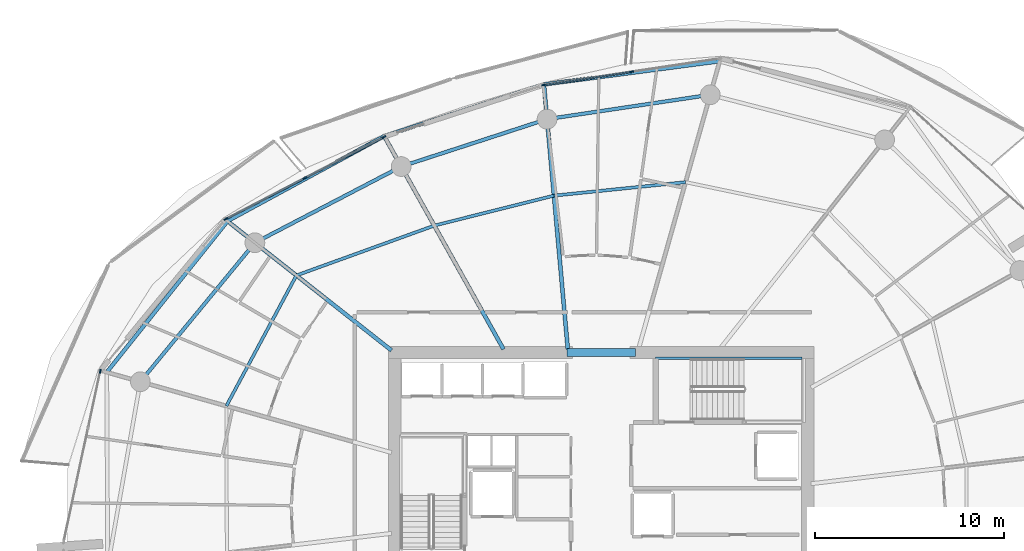
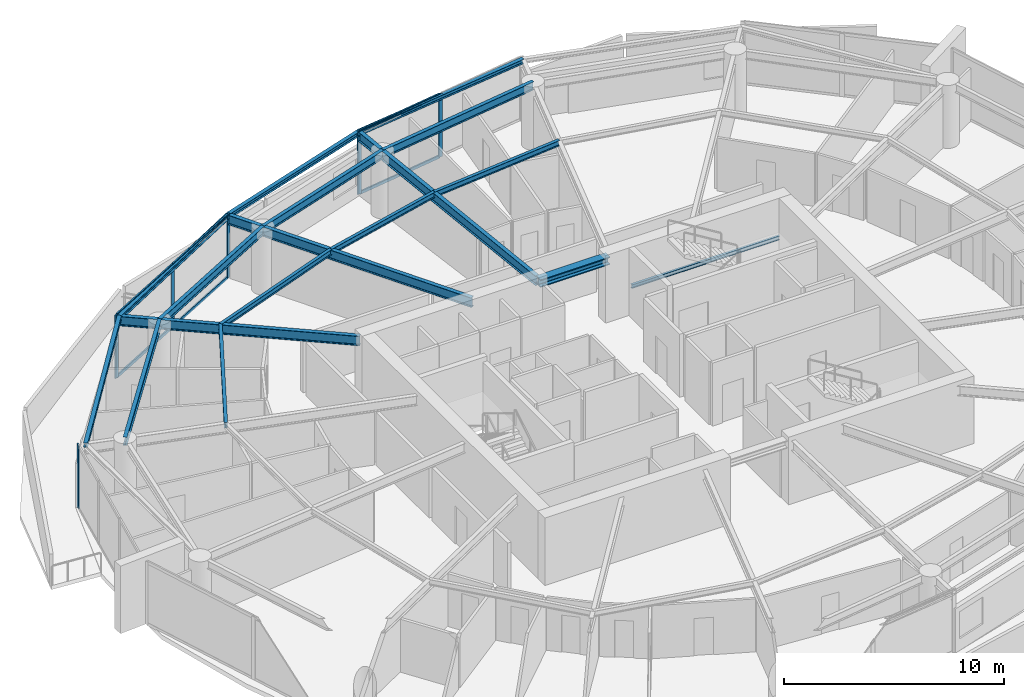
# One storey, part 7 of 19: 17 beams, 12 members, 3 elements without a shape of their own.
"""IFC4 building model written with IfcOpenShell, lengths in metres."""

from ifc_helpers import new_model, si_unit, direction, frame, origin, origin_2d, place, context, subcontext, project, spatial, rectangle, i_section, extrude, material, layer, layer_set, material_profile, profile_set, type_object, element, aggregate, save


model = new_model("IFC4")

# Units and contexts
model_context = context("Model", 3, precision=1e-05, world=origin(), true_north=direction((0.0, 1.0)))
body_context = subcontext(model_context, "Body", "Model", "MODEL_VIEW")
ifc_project = project(units=[si_unit("LENGTHUNIT", "METRE"), si_unit("AREAUNIT", "SQUARE_METRE"), si_unit("VOLUMEUNIT", "CUBIC_METRE"), si_unit("PLANEANGLEUNIT", "RADIAN"), si_unit("MASSUNIT", "GRAM", prefix="KILO")], contexts=[model_context])

# Site, building, storey
site_placement = place(None, origin())
site = spatial("IfcSite", under=ifc_project, at=site_placement, CompositionType="ELEMENT")
building_placement = place(site_placement, origin())
building = spatial("IfcBuilding", under=site, at=building_placement, Name="Kazma Halo Residences", CompositionType="ELEMENT")
storey_placement = place(building_placement, frame((0.0, 0.0, 199.050048828125)))
storey = spatial("IfcBuildingStorey", under=building, at=storey_placement, Name="L50", CompositionType="ELEMENT", Elevation=199.050048828125)

# Beams
ifc_material_1 = material(Name="Steel S355", Category="steel")
ifc_material_profile_1 = material_profile(ifc_material_1, i_section(OverallWidth=0.201904296875, OverallDepth=0.2470703125, WebThickness=0.00732421875, FlangeThickness=0.010986328125, FilletRadius=0.011962890625, at=origin_2d()), Name="W250x49.1")
ifc_profile_set_1 = profile_set([ifc_material_profile_1], Name="Steel S355")
beam_type_1 = type_object("IfcBeamType", Name="BM-BAL-CANT", PredefinedType="BEAM", material=ifc_profile_set_1)
beam_1_placement = place(storey_placement, frame((54.70458984375, 65.772216796875, 3.37646484375), z_axis=(-0.991401891123, -0.130852169558, 0.0), x_axis=(0.130852169558, -0.991401891123, 0.0)))
element("IfcBeam", 1, at=beam_1_placement, inside=storey, type_object=beam_type_1, Name="L50 wave-balcony tie beam 03", PredefinedType="BEAM", context=body_context, shape_type="SweptSolid", body=[
    extrude(i_section(OverallWidth=0.201904296875, OverallDepth=0.2470703125, WebThickness=0.00732421875, FlangeThickness=0.010986328125, FilletRadius=0.011962890625, at=origin_2d()), origin(), (0.0, 0.0, 1.0), 9.401611328125),
])
beam_2_placement = place(storey_placement, frame((45.3837890625, 64.5419921875, 3.37646484375), z_axis=(-0.951434599458, -0.307850942753, 0.0), x_axis=(0.307850942753, -0.951434599458, 0.0)))
element("IfcBeam", 2, at=beam_2_placement, inside=storey, type_object=beam_type_1, Name="L50 wave-balcony tie beam 04", PredefinedType="BEAM", context=body_context, shape_type="SweptSolid", body=[
    extrude(i_section(OverallWidth=0.201904296875, OverallDepth=0.2470703125, WebThickness=0.00732421875, FlangeThickness=0.010986328125, FilletRadius=0.011962890625, at=origin_2d()), origin(), (0.0, 0.0, 1.0), 8.905029296875),
])
beam_3_placement = place(storey_placement, frame((36.9111328125, 61.800537109375, 3.37646484375), z_axis=(-0.878890557257, -0.477023467309, 0.0), x_axis=(0.477023467309, -0.878890557257, 0.0)))
element("IfcBeam", 3, at=beam_3_placement, inside=storey, type_object=beam_type_1, Name="L50 wave-balcony tie beam 05", PredefinedType="BEAM", context=body_context, shape_type="SweptSolid", body=[
    extrude(i_section(OverallWidth=0.201904296875, OverallDepth=0.2470703125, WebThickness=0.00732421875, FlangeThickness=0.010986328125, FilletRadius=0.011962890625, at=origin_2d()), origin(), (0.0, 0.0, 1.0), 9.452880859375),
])
beam_4_placement = place(storey_placement, frame((28.60302734375, 57.291259765625, 3.37646484375), z_axis=(-0.624195724924, -0.781268005864, 0.0), x_axis=(0.781268005864, -0.624195724924, 0.0)))
element("IfcBeam", 4, at=beam_4_placement, inside=storey, type_object=beam_type_1, Name="L50 wave-balcony tie beam 06", PredefinedType="BEAM", context=body_context, shape_type="SweptSolid", body=[
    extrude(i_section(OverallWidth=0.201904296875, OverallDepth=0.2470703125, WebThickness=0.00732421875, FlangeThickness=0.010986328125, FilletRadius=0.011962890625, at=origin_2d()), origin(), (0.0, 0.0, 1.0), 10.258544921875),
])
ifc_material_profile_2 = material_profile(ifc_material_1, i_section(OverallWidth=0.408935546875, OverallDepth=0.425048828125, WebThickness=0.03271484375, FlangeThickness=0.052490234375, FilletRadius=0.02001953125, at=origin_2d()), Name="W360x421")
ifc_profile_set_2 = profile_set([ifc_material_profile_2], Name="Steel S355")
beam_type_2 = type_object("IfcBeamType", Name="BM-CORE-W360H", PredefinedType="BEAM", material=ifc_profile_set_2)
beam_5_placement = place(storey_placement, frame((46.60009765625, 50.324951171875, 3.287353515625), z_axis=(1.0, 0.0, 0.0), x_axis=(0.0, 1.0, 0.0)))
element("IfcBeam", 5, at=beam_5_placement, inside=storey, type_object=beam_type_2, Name="L50 core coupling beam N", PredefinedType="BEAM", context=body_context, shape_type="SweptSolid", body=[
    extrude(i_section(OverallWidth=0.408935546875, OverallDepth=0.425048828125, WebThickness=0.03271484375, FlangeThickness=0.052490234375, FilletRadius=0.02001953125, at=origin_2d()), origin(), (0.0, 0.0, 1.0), 3.64990234375),
])
ifc_material_profile_3 = material_profile(ifc_material_1, i_section(OverallWidth=0.208984375, OverallDepth=0.532958984375, WebThickness=0.01025390625, FlangeThickness=0.015625, FilletRadius=0.01611328125, at=origin_2d()), Name="W530x92")
ifc_profile_set_3 = profile_set([ifc_material_profile_3], Name="Steel S355")
beam_type_3 = type_object("IfcBeamType", Name="BM-RAD-W530", PredefinedType="BEAM", material=ifc_profile_set_3)
beam_6_placement = place(storey_placement, frame((46.64990234375, 50.5, 3.2333984375), z_axis=(-0.089801911205, 0.995959646142, 0.0), x_axis=(-0.995959646142, -0.089801911205, 0.0)))
element("IfcBeam", 6, at=beam_6_placement, inside=storey, type_object=beam_type_3, Name="L50 radial floor beam 04", PredefinedType="BEAM", context=body_context, shape_type="SweptSolid", body=[
    extrude(i_section(OverallWidth=0.208984375, OverallDepth=0.532958984375, WebThickness=0.01025390625, FlangeThickness=0.015625, FilletRadius=0.01611328125, at=origin_2d()), origin(), (0.0, 0.0, 1.0), 14.098876953125),
])
beam_7_placement = place(storey_placement, frame((43.23974609375, 50.5, 3.2333984375), z_axis=(-0.488621736368, 0.872495729931, 0.0), x_axis=(-0.872495729931, -0.488621736368, 0.0)))
element("IfcBeam", 7, at=beam_7_placement, inside=storey, type_object=beam_type_3, Name="L50 radial floor beam 05", PredefinedType="BEAM", context=body_context, shape_type="SweptSolid", body=[
    extrude(i_section(OverallWidth=0.208984375, OverallDepth=0.532958984375, WebThickness=0.01025390625, FlangeThickness=0.015625, FilletRadius=0.01611328125, at=origin_2d()), origin(), (0.0, 0.0, 1.0), 12.951904296875),
])
beam_8_placement = place(storey_placement, frame((37.300048828125, 50.435302734375, 3.2333984375), z_axis=(-0.785326671572, 0.619081593102, 0.0), x_axis=(-0.619081593102, -0.785326671572, 0.0)))
element("IfcBeam", 8, at=beam_8_placement, inside=storey, type_object=beam_type_3, Name="L50 radial floor beam 06", PredefinedType="BEAM", context=body_context, shape_type="SweptSolid", body=[
    extrude(i_section(OverallWidth=0.208984375, OverallDepth=0.532958984375, WebThickness=0.01025390625, FlangeThickness=0.015625, FilletRadius=0.01611328125, at=origin_2d()), origin(), (0.0, 0.0, 1.0), 11.074462890625),
])
ifc_material_profile_4 = material_profile(ifc_material_1, i_section(OverallWidth=0.1650390625, OverallDepth=0.31005859375, WebThickness=0.005859375, FlangeThickness=0.009765625, FilletRadius=0.011962890625, at=origin_2d()), Name="W310x38.7")
ifc_profile_set_4 = profile_set([ifc_material_profile_4], Name="Steel S355")
beam_type_4 = type_object("IfcBeamType", Name="BM-SEC-W310B", PredefinedType="JOIST", material=ifc_profile_set_4)
beam_9_placement = place(storey_placement, frame((52.8955078125, 59.35791015625, 3.344970703125), z_axis=(-0.994813898595, -0.101711883088, 0.0), x_axis=(0.101711883088, -0.994813898595, 0.0)))
element("IfcBeam", 9, at=beam_9_placement, inside=storey, type_object=beam_type_4, Name="L50 circumferential floor joist 03", PredefinedType="JOIST", context=body_context, shape_type="SweptSolid", body=[
    extrude(i_section(OverallWidth=0.1650390625, OverallDepth=0.31005859375, WebThickness=0.005859375, FlangeThickness=0.009765625, FilletRadius=0.011962890625, at=origin_2d()), origin(), (0.0, 0.0, 1.0), 7.01611328125),
])
beam_10_placement = place(storey_placement, frame((45.915771484375, 58.644287109375, 3.344970703125), z_axis=(-0.970019458253, -0.243027263102, 0.0), x_axis=(0.243027263102, -0.970019458253, 0.0)))
element("IfcBeam", 10, at=beam_10_placement, inside=storey, type_object=beam_type_4, Name="L50 circumferential floor joist 04", PredefinedType="JOIST", context=body_context, shape_type="SweptSolid", body=[
    extrude(i_section(OverallWidth=0.1650390625, OverallDepth=0.31005859375, WebThickness=0.005859375, FlangeThickness=0.009765625, FilletRadius=0.011962890625, at=origin_2d()), origin(), (0.0, 0.0, 1.0), 6.542724609375),
])
beam_11_placement = place(storey_placement, frame((39.569091796875, 57.05419921875, 3.344970703125), z_axis=(-0.940484507564, -0.339836565177, 0.0), x_axis=(0.339836565177, -0.940484507564, 0.0)))
element("IfcBeam", 11, at=beam_11_placement, inside=storey, type_object=beam_type_4, Name="L50 circumferential floor joist 05", PredefinedType="JOIST", context=body_context, shape_type="SweptSolid", body=[
    extrude(i_section(OverallWidth=0.1650390625, OverallDepth=0.31005859375, WebThickness=0.005859375, FlangeThickness=0.009765625, FilletRadius=0.011962890625, at=origin_2d()), origin(), (0.0, 0.0, 1.0), 7.776123046875),
])
beam_12_placement = place(storey_placement, frame((32.255859375, 54.41162109375, 3.344970703125), z_axis=(-0.472683532566, -0.881232249774, 0.0), x_axis=(0.881232249774, -0.472683532566, 0.0)))
element("IfcBeam", 12, at=beam_12_placement, inside=storey, type_object=beam_type_4, Name="L50 circumferential floor joist 06", PredefinedType="JOIST", context=body_context, shape_type="SweptSolid", body=[
    extrude(i_section(OverallWidth=0.1650390625, OverallDepth=0.31005859375, WebThickness=0.005859375, FlangeThickness=0.009765625, FilletRadius=0.011962890625, at=origin_2d()), origin(), (0.0, 0.0, 1.0), 7.85693359375),
])
ifc_material_profile_5 = material_profile(ifc_material_1, i_section(OverallWidth=0.18994140625, OverallDepth=0.45703125, WebThickness=0.009033203125, FlangeThickness=0.014404296875, FilletRadius=0.01611328125, at=origin_2d()), Name="W460x74")
ifc_profile_set_5 = profile_set([ifc_material_profile_5], Name="Steel S355")
beam_type_5 = type_object("IfcBeamType", Name="BM-SPN-W460", PredefinedType="BEAM", material=ifc_profile_set_5)
beam_13_placement = place(storey_placement, frame((54.202392578125, 63.99169921875, 3.271484375), z_axis=(-0.98903439143, -0.147685383732, 0.0), x_axis=(0.147685383732, -0.98903439143, 0.0)))
element("IfcBeam", 13, at=beam_13_placement, inside=storey, type_object=beam_type_5, Name="L50 perimeter ring beam 03", PredefinedType="BEAM", context=body_context, shape_type="SweptSolid", body=[
    extrude(i_section(OverallWidth=0.18994140625, OverallDepth=0.45703125, WebThickness=0.009033203125, FlangeThickness=0.014404296875, FilletRadius=0.01611328125, at=origin_2d()), origin(), (0.0, 0.0, 1.0), 8.748291015625),
])
beam_14_placement = place(storey_placement, frame((45.550048828125, 62.69970703125, 3.271484375), z_axis=(-0.951048627281, -0.30904127321, 0.0), x_axis=(0.30904127321, -0.951048627281, 0.0)))
element("IfcBeam", 14, at=beam_14_placement, inside=storey, type_object=beam_type_5, Name="L50 perimeter ring beam 04", PredefinedType="BEAM", context=body_context, shape_type="SweptSolid", body=[
    extrude(i_section(OverallWidth=0.18994140625, OverallDepth=0.45703125, WebThickness=0.009033203125, FlangeThickness=0.014404296875, FilletRadius=0.01611328125, at=origin_2d()), origin(), (0.0, 0.0, 1.0), 8.133056640625),
])
beam_15_placement = place(storey_placement, frame((37.815185546875, 60.186279296875, 3.271484375), z_axis=(-0.886961243394, -0.461843861838, 0.0), x_axis=(0.461843861838, -0.886961243394, 0.0)))
element("IfcBeam", 15, at=beam_15_placement, inside=storey, type_object=beam_type_5, Name="L50 perimeter ring beam 05", PredefinedType="BEAM", context=body_context, shape_type="SweptSolid", body=[
    extrude(i_section(OverallWidth=0.18994140625, OverallDepth=0.45703125, WebThickness=0.009033203125, FlangeThickness=0.014404296875, FilletRadius=0.01611328125, at=origin_2d()), origin(), (0.0, 0.0, 1.0), 8.748046875),
])
beam_16_placement = place(storey_placement, frame((30.055908203125, 56.14599609375, 3.271484375), z_axis=(-0.63601715545, -0.771674917289, 0.0), x_axis=(0.771674917289, -0.63601715545, 0.0)))
element("IfcBeam", 16, at=beam_16_placement, inside=storey, type_object=beam_type_5, Name="L50 perimeter ring beam 06", PredefinedType="BEAM", context=body_context, shape_type="SweptSolid", body=[
    extrude(i_section(OverallWidth=0.18994140625, OverallDepth=0.45703125, WebThickness=0.009033203125, FlangeThickness=0.014404296875, FilletRadius=0.01611328125, at=origin_2d()), origin(), (0.0, 0.0, 1.0), 9.552734375),
])
ifc_material_profile_6 = material_profile(ifc_material_1, i_section(OverallWidth=0.133056640625, OverallDepth=0.20703125, WebThickness=0.005859375, FlangeThickness=0.00830078125, FilletRadius=0.010009765625, at=origin_2d()), Name="W200x26.6")
ifc_profile_set_6 = profile_set([ifc_material_profile_6], Name="Steel S355")
beam_type_6 = type_object("IfcBeamType", Name="BM-TRIM-W200", PredefinedType="BEAM", material=ifc_profile_set_6)
beam_17_placement = place(storey_placement, frame((51.31005859375, 50.02001953125, 1.570068359375), z_axis=(1.0, 0.0, 0.0), x_axis=(0.0, 1.0, 0.0)))
element("IfcBeam", 17, at=beam_17_placement, inside=storey, type_object=beam_type_6, Name="L50 ST-02 landing north wall ledger", PredefinedType="BEAM", context=body_context, shape_type="SweptSolid", body=[
    extrude(i_section(OverallWidth=0.133056640625, OverallDepth=0.20703125, WebThickness=0.005859375, FlangeThickness=0.00830078125, FilletRadius=0.010009765625, at=origin_2d()), origin(), (0.0, 0.0, 1.0), 7.760009765625),
])

# Curtain wall, members
ifc_material_2 = material(Name="Aluminium AW-6063 T6 and Triple-Silver Low-E Glass", Category="aluminium")
ifc_layer = layer(ifc_material_2, 0.219970703125)
ifc_layer_set = layer_set([ifc_layer], Name="Aluminium AW-6063 T6 and Triple-Silver Low-E Glass")
curtain_wall_type = type_object("IfcCurtainWallType", Name="CW-SYS-4", PredefinedType="NOTDEFINED", material=ifc_layer_set)
curtain_wall_1_placement = place(storey_placement, origin())
curtain_wall_1 = element("IfcCurtainWall", 18, at=curtain_wall_1_placement, inside=storey, type_object=curtain_wall_type, Name="L50 unitised curtain wall B03", PredefinedType="NOTDEFINED")
ifc_material_3 = material(Name="Aluminium AW-6063 T6", Category="aluminium")
ifc_material_profile_7 = material_profile(ifc_material_3, rectangle(XDim=0.074951171875, YDim=0.219970703125, at=origin_2d()), Name="CWM-75x220")
ifc_profile_set_7 = profile_set([ifc_material_profile_7], Name="Aluminium AW-6063 T6")
member_type_1 = type_object("IfcMemberType", Name="CW-SYS-4-MUL", PredefinedType="MULLION", material=ifc_profile_set_7)
member_1_placement = place(storey_placement, frame((50.041259765625, 65.211181640625, 0.0), z_axis=(0.0, 0.0, 1.0), x_axis=(0.148772639188, -0.988871428361, 0.0)))
member_1 = element("IfcMember", 19, at=member_1_placement, type_object=member_type_1, Name="CWS-4 mullion 2", PredefinedType="MULLION", context=body_context, shape_type="SweptSolid", body=[
    extrude(rectangle(XDim=0.074951171875, YDim=0.219970703125, at=origin_2d()), origin(), (0.0, 0.0, 1.0), 3.5),
])
member_2_placement = place(storey_placement, frame((45.373779296875, 64.509033203125, 0.0), z_axis=(0.0, 0.0, 1.0), x_axis=(0.148772639188, -0.988871428361, 0.0)))
member_2 = element("IfcMember", 20, at=member_2_placement, type_object=member_type_1, Name="CWS-4 mullion 3", PredefinedType="MULLION", context=body_context, shape_type="SweptSolid", body=[
    extrude(rectangle(XDim=0.074951171875, YDim=0.219970703125, at=origin_2d()), origin(), (0.0, 0.0, 1.0), 3.5),
])

curtain_wall_2_placement = place(storey_placement, origin())
curtain_wall_2 = element("IfcCurtainWall", 21, at=curtain_wall_2_placement, inside=storey, type_object=curtain_wall_type, Name="L50 unitised curtain wall B05", PredefinedType="NOTDEFINED")
member_3_placement = place(storey_placement, frame((36.894287109375, 61.75390625, 0.0), z_axis=(0.0, 0.0, 1.0), x_axis=(0.460873851097, -0.887465657575, 0.0)))
member_3 = element("IfcMember", 22, at=member_3_placement, type_object=member_type_1, Name="CWS-4 mullion 1", PredefinedType="MULLION", context=body_context, shape_type="SweptSolid", body=[
    extrude(rectangle(XDim=0.074951171875, YDim=0.219970703125, at=origin_2d()), origin(), (0.0, 0.0, 1.0), 3.5),
])
member_4_placement = place(storey_placement, frame((32.705322265625, 59.578369140625, 0.0), z_axis=(0.0, 0.0, 1.0), x_axis=(0.460873851097, -0.887465657575, 0.0)))
member_4 = element("IfcMember", 23, at=member_4_placement, type_object=member_type_1, Name="CWS-4 mullion 2", PredefinedType="MULLION", context=body_context, shape_type="SweptSolid", body=[
    extrude(rectangle(XDim=0.074951171875, YDim=0.219970703125, at=origin_2d()), origin(), (0.0, 0.0, 1.0), 3.5),
])
member_5_placement = place(storey_placement, frame((28.5166015625, 57.403076171875, 0.0), z_axis=(0.0, 0.0, 1.0), x_axis=(0.460873851097, -0.887465657575, 0.0)))
member_5 = element("IfcMember", 24, at=member_5_placement, type_object=member_type_1, Name="CWS-4 mullion 3", PredefinedType="MULLION", context=body_context, shape_type="SweptSolid", body=[
    extrude(rectangle(XDim=0.074951171875, YDim=0.219970703125, at=origin_2d()), origin(), (0.0, 0.0, 1.0), 3.5),
])

# Curtain wall, member
curtain_wall_3_placement = place(storey_placement, origin())
curtain_wall_3 = element("IfcCurtainWall", 25, at=curtain_wall_3_placement, inside=storey, type_object=curtain_wall_type, Name="L50 unitised curtain wall B07", PredefinedType="NOTDEFINED")
member_6_placement = place(storey_placement, frame((21.8564453125, 49.334228515625, 0.0), z_axis=(0.0, 0.0, 1.0), x_axis=(0.977768017212, -0.209689543175, 0.0)))
member_6 = element("IfcMember", 26, at=member_6_placement, type_object=member_type_1, Name="CWS-4 mullion 1", PredefinedType="MULLION", context=body_context, shape_type="SweptSolid", body=[
    extrude(rectangle(XDim=0.074951171875, YDim=0.219970703125, at=origin_2d()), origin(), (0.0, 0.0, 1.0), 3.5),
])
aggregate(curtain_wall_3, [member_6])

# Member
ifc_material_profile_8 = material_profile(ifc_material_3, rectangle(XDim=0.074951171875, YDim=0.1650390625, at=origin_2d()), Name="CWT-75x165")
ifc_profile_set_8 = profile_set([ifc_material_profile_8], Name="Aluminium AW-6063 T6")
member_type_2 = type_object("IfcMemberType", Name="CW-SYS-4-TRN", PredefinedType="USERDEFINED", material=ifc_profile_set_8)
member_7_placement = place(storey_placement, frame((50.004150390625, 65.20556640625, 0.037353515625), z_axis=(-0.988876518566, -0.148738801357, 0.0), x_axis=(0.148738801357, -0.988876518566, 0.0)))
member_7 = element("IfcMember", 27, at=member_7_placement, type_object=member_type_2, Name="CWS-4 transom 2.1", ObjectType="TRANSOM", PredefinedType="USERDEFINED", context=body_context, shape_type="SweptSolid", body=[
    extrude(rectangle(XDim=0.074951171875, YDim=0.1650390625, at=origin_2d()), origin(), (0.0, 0.0, 1.0), 4.645263671875),
])

member_8_placement = place(storey_placement, frame((50.004150390625, 65.20556640625, 3.46240234375), z_axis=(-0.988876518566, -0.148738801357, 0.0), x_axis=(0.148738801357, -0.988876518566, 0.0)))
member_8 = element("IfcMember", 28, at=member_8_placement, type_object=member_type_2, Name="CWS-4 transom 2.2", ObjectType="TRANSOM", PredefinedType="USERDEFINED", context=body_context, shape_type="SweptSolid", body=[
    extrude(rectangle(XDim=0.074951171875, YDim=0.1650390625, at=origin_2d()), origin(), (0.0, 0.0, 1.0), 4.645263671875),
])

aggregate(curtain_wall_1, [member_1, member_2, member_7, member_8])

member_9_placement = place(storey_placement, frame((36.861083984375, 61.736572265625, 0.037353515625), z_axis=(-0.887457630519, -0.460889307789, 0.0), x_axis=(0.460889307789, -0.887457630519, 0.0)))
member_9 = element("IfcMember", 29, at=member_9_placement, type_object=member_type_2, Name="CWS-4 transom 1.1", ObjectType="TRANSOM", PredefinedType="USERDEFINED", context=body_context, shape_type="SweptSolid", body=[
    extrude(rectangle(XDim=0.074951171875, YDim=0.1650390625, at=origin_2d()), origin(), (0.0, 0.0, 1.0), 4.64501953125),
])

member_10_placement = place(storey_placement, frame((36.861083984375, 61.736572265625, 3.46240234375), z_axis=(-0.887457630519, -0.460889307789, 0.0), x_axis=(0.460889307789, -0.887457630519, 0.0)))
member_10 = element("IfcMember", 30, at=member_10_placement, type_object=member_type_2, Name="CWS-4 transom 1.2", ObjectType="TRANSOM", PredefinedType="USERDEFINED", context=body_context, shape_type="SweptSolid", body=[
    extrude(rectangle(XDim=0.074951171875, YDim=0.1650390625, at=origin_2d()), origin(), (0.0, 0.0, 1.0), 4.64501953125),
])

member_11_placement = place(storey_placement, frame((32.672119140625, 59.561279296875, 0.037353515625), z_axis=(-0.887457630519, -0.460889307789, 0.0), x_axis=(0.460889307789, -0.887457630519, 0.0)))
member_11 = element("IfcMember", 31, at=member_11_placement, type_object=member_type_2, Name="CWS-4 transom 2.1", ObjectType="TRANSOM", PredefinedType="USERDEFINED", context=body_context, shape_type="SweptSolid", body=[
    extrude(rectangle(XDim=0.074951171875, YDim=0.1650390625, at=origin_2d()), origin(), (0.0, 0.0, 1.0), 4.64501953125),
])

member_12_placement = place(storey_placement, frame((32.672119140625, 59.561279296875, 3.46240234375), z_axis=(-0.887457630519, -0.460889307789, 0.0), x_axis=(0.460889307789, -0.887457630519, 0.0)))
member_12 = element("IfcMember", 32, at=member_12_placement, type_object=member_type_2, Name="CWS-4 transom 2.2", ObjectType="TRANSOM", PredefinedType="USERDEFINED", context=body_context, shape_type="SweptSolid", body=[
    extrude(rectangle(XDim=0.074951171875, YDim=0.1650390625, at=origin_2d()), origin(), (0.0, 0.0, 1.0), 4.64501953125),
])

aggregate(curtain_wall_2, [member_3, member_4, member_5, member_9, member_10, member_11, member_12])

save(model, "model.ifc")
